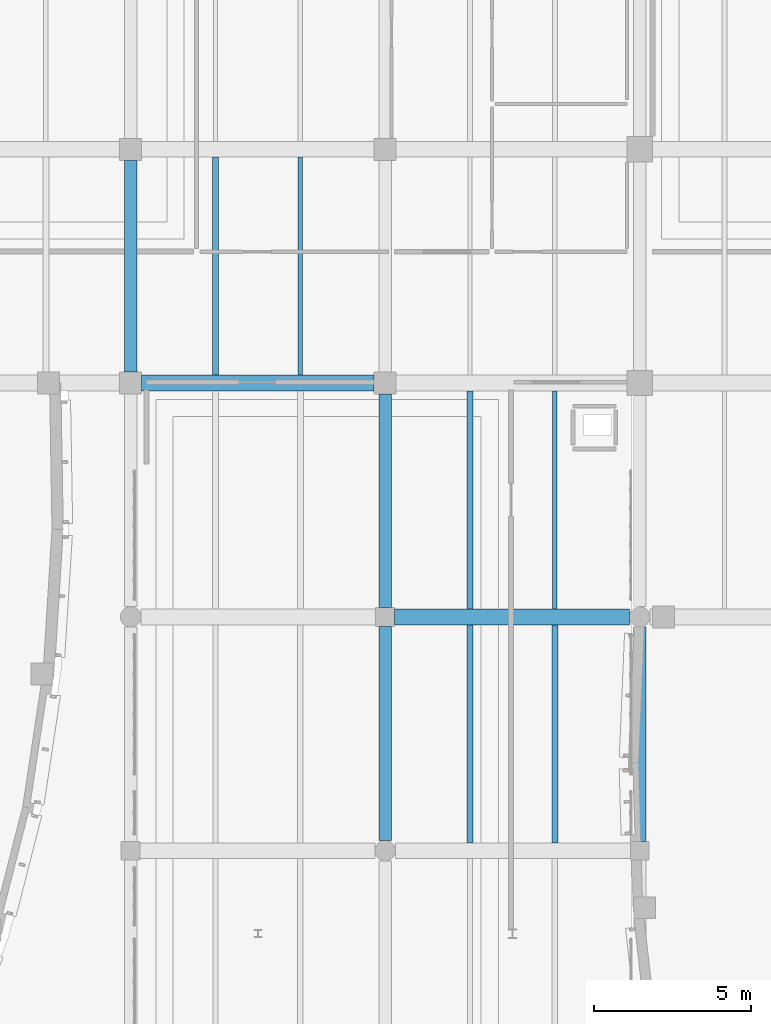
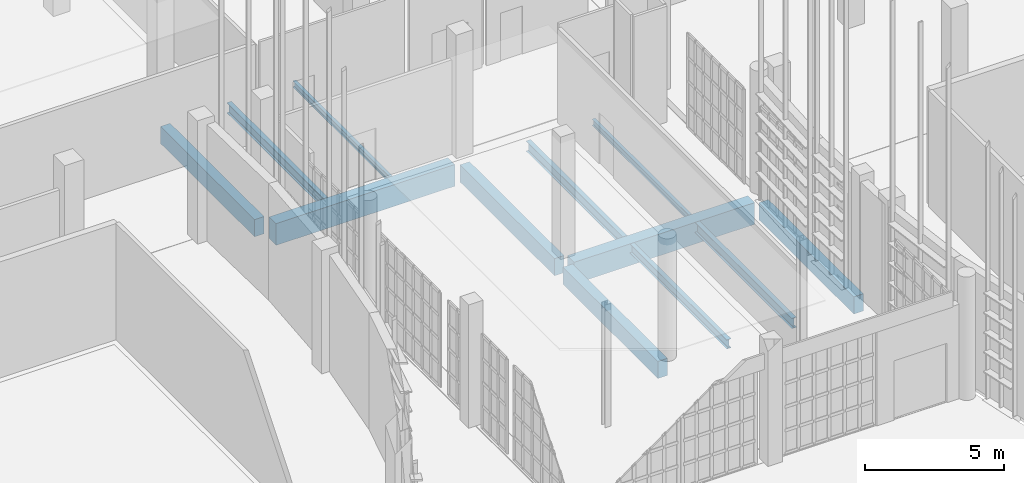
# One storey, part 237 of 372: 12 beams.
"""IFC4 building model written with IfcOpenShell, lengths in metres."""

from ifc_helpers import new_model, si_unit, direction, frame, origin, origin_2d, place, context, subcontext, project, spatial, rectangle, i_section, extrude, material, material_profile, profile_set, type_object, element, save


model = new_model("IFC4")

# Units and contexts
model_context = context("Model", 3, precision=1e-05, world=origin(), true_north=direction((0.0, 1.0)))
body_context = subcontext(model_context, "Body", "Model", "MODEL_VIEW")
ifc_project = project(units=[si_unit("LENGTHUNIT", "METRE"), si_unit("AREAUNIT", "SQUARE_METRE"), si_unit("VOLUMEUNIT", "CUBIC_METRE"), si_unit("PLANEANGLEUNIT", "RADIAN"), si_unit("MASSUNIT", "GRAM", prefix="KILO")], contexts=[model_context])

# Site, building, storey
site_placement = place(None, origin())
site = spatial("IfcSite", under=ifc_project, at=site_placement, CompositionType="ELEMENT")
building_placement = place(site_placement, origin())
building = spatial("IfcBuilding", under=site, at=building_placement, Name="Kaelora Sail Theatre", CompositionType="ELEMENT")
storey_placement = place(building_placement, origin())
storey = spatial("IfcBuildingStorey", under=building, at=storey_placement, Name="L00", CompositionType="ELEMENT", Elevation=0.0)

# Beams
ifc_material_1 = material(Name="Steel S355", Category="steel")
ifc_material_profile_1 = material_profile(ifc_material_1, i_section(OverallWidth=0.18994140625, OverallDepth=0.449951171875, WebThickness=0.009521484375, FlangeThickness=0.0146484375, FilletRadius=0.02099609375, at=origin_2d()), Name="IPE 450")
ifc_profile_set_1 = profile_set([ifc_material_profile_1], Name="Steel S355")
beam_type_1 = type_object("IfcBeamType", Name="STR-BM-BM-IPE450", PredefinedType="BEAM", material=ifc_profile_set_1)
beam_1_placement = place(storey_placement, frame((109.5, 61.27001953125, -0.544921875), z_axis=(0.0, 1.0, 0.0), x_axis=(-1.0, 0.0, 0.0)))
element("IfcBeam", 1, at=beam_1_placement, inside=storey, type_object=beam_type_1, Name="Secondary floor joist 14/I-1 (L00)", PredefinedType="BEAM", context=body_context, shape_type="SweptSolid", body=[
    extrude(i_section(OverallWidth=0.18994140625, OverallDepth=0.449951171875, WebThickness=0.009521484375, FlangeThickness=0.0146484375, FilletRadius=0.02099609375, at=origin_2d()), origin(), (0.0, 0.0, 1.0), 6.93994140625),
])
beam_2_placement = place(storey_placement, frame((120.300048828125, 46.389892578125, -0.544921875), z_axis=(0.0, 1.0, 0.0), x_axis=(-1.0, 0.0, 0.0)))
element("IfcBeam", 2, at=beam_2_placement, inside=storey, type_object=beam_type_1, Name="Secondary floor joist 15/G-2 (L00)", PredefinedType="BEAM", context=body_context, shape_type="SweptSolid", body=[
    extrude(i_section(OverallWidth=0.18994140625, OverallDepth=0.449951171875, WebThickness=0.009521484375, FlangeThickness=0.0146484375, FilletRadius=0.02099609375, at=origin_2d()), origin(), (0.0, 0.0, 1.0), 6.940185546875),
])
beam_3_placement = place(storey_placement, frame((117.60009765625, 53.830078125, -0.544921875), z_axis=(0.0, 1.0, 0.0), x_axis=(-1.0, 0.0, 0.0)))
element("IfcBeam", 3, at=beam_3_placement, inside=storey, type_object=beam_type_1, Name="Secondary floor joist 15/H-1 (L00)", PredefinedType="BEAM", context=body_context, shape_type="SweptSolid", body=[
    extrude(i_section(OverallWidth=0.18994140625, OverallDepth=0.449951171875, WebThickness=0.009521484375, FlangeThickness=0.0146484375, FilletRadius=0.02099609375, at=origin_2d()), origin(), (0.0, 0.0, 1.0), 6.93994140625),
])
ifc_material_2 = material(Name="Concrete C40/50", Category="concrete")
ifc_material_profile_2 = material_profile(ifc_material_2, rectangle(XDim=0.39990234375, YDim=0.75, at=origin_2d()), Name="RC-BM 400x750")
ifc_profile_set_2 = profile_set([ifc_material_profile_2], Name="Concrete C40/50")
beam_type_2 = type_object("IfcBeamType", Name="STR-BM-BM-RC4075", PredefinedType="BEAM", material=ifc_profile_set_2)
beam_4_placement = place(storey_placement, frame((106.800048828125, 61.3701171875, -0.695068359375), z_axis=(0.0, 1.0, 0.0), x_axis=(-1.0, 0.0, 0.0)))
element("IfcBeam", 4, at=beam_4_placement, inside=storey, type_object=beam_type_2, Name="Primary beam 14 I-J (L00)", PredefinedType="BEAM", context=body_context, shape_type="SweptSolid", body=[
    extrude(rectangle(XDim=0.39990234375, YDim=0.75, at=origin_2d()), origin(), (0.0, 0.0, 1.0), 6.739990234375),
])
beam_5_placement = place(storey_placement, frame((114.89990234375, 46.465087890625, -0.695068359375), z_axis=(0.0, 1.0, 0.0), x_axis=(-1.0, 0.0, 0.0)))
element("IfcBeam", 5, at=beam_5_placement, inside=storey, type_object=beam_type_2, Name="Primary beam 15 G-H (L00)", PredefinedType="BEAM", context=body_context, shape_type="SweptSolid", body=[
    extrude(rectangle(XDim=0.39990234375, YDim=0.75, at=origin_2d()), origin(), (0.0, 0.0, 1.0), 6.81494140625),
])
beam_6_placement = place(storey_placement, frame((114.89990234375, 53.8798828125, -0.695068359375), z_axis=(0.0, 1.0, 0.0), x_axis=(-1.0, 0.0, 0.0)))
element("IfcBeam", 6, at=beam_6_placement, inside=storey, type_object=beam_type_2, Name="Primary beam 15 H-I (L00)", PredefinedType="BEAM", context=body_context, shape_type="SweptSolid", body=[
    extrude(rectangle(XDim=0.39990234375, YDim=0.75, at=origin_2d()), origin(), (0.0, 0.0, 1.0), 6.7900390625),
])
beam_7_placement = place(storey_placement, frame((123.0, 46.43994140625, -0.695068359375), z_axis=(0.0, 1.0, 0.0), x_axis=(-1.0, 0.0, 0.0)))
element("IfcBeam", 7, at=beam_7_placement, inside=storey, type_object=beam_type_2, Name="Primary beam 16 G-H (L00)", PredefinedType="BEAM", context=body_context, shape_type="SweptSolid", body=[
    extrude(rectangle(XDim=0.39990234375, YDim=0.75, at=origin_2d()), origin(), (0.0, 0.0, 1.0), 6.81494140625),
])
ifc_material_3 = material(Name="Concrete C45/55", Category="concrete")
ifc_material_profile_3 = material_profile(ifc_material_3, rectangle(XDim=0.5, YDim=0.949951171875, at=origin_2d()), Name="RC-GRD 500x950")
ifc_profile_set_3 = profile_set([ifc_material_profile_3], Name="Concrete C45/55")
beam_type_3 = type_object("IfcBeamType", Name="STR-BM-GR-RC5095", PredefinedType="T_BEAM", material=ifc_profile_set_3)
beam_8_placement = place(storey_placement, frame((107.14990234375, 61.02001953125, -0.794921875), z_axis=(1.0, 0.0, 0.0), x_axis=(0.0, 1.0, 0.0)))
element("IfcBeam", 8, at=beam_8_placement, inside=storey, type_object=beam_type_3, Name="Primary beam I 14-15 (L00)", PredefinedType="T_BEAM", context=body_context, shape_type="SweptSolid", body=[
    extrude(rectangle(XDim=0.5, YDim=0.949951171875, at=origin_2d()), origin(), (0.0, 0.0, 1.0), 7.400146484375),
])
beam_9_placement = place(storey_placement, frame((115.199951171875, 53.580078125, -0.794921875), z_axis=(1.0, 0.0, 0.0), x_axis=(0.0, 1.0, 0.0)))
element("IfcBeam", 9, at=beam_9_placement, inside=storey, type_object=beam_type_3, Name="Primary beam H 15-16 (L00)", PredefinedType="T_BEAM", context=body_context, shape_type="SweptSolid", body=[
    extrude(rectangle(XDim=0.5, YDim=0.949951171875, at=origin_2d()), origin(), (0.0, 0.0, 1.0), 7.47509765625),
])
ifc_material_4 = material(Name="Steel S355", Category="steel")
ifc_material_profile_4 = material_profile(ifc_material_4, i_section(OverallWidth=0.135009765625, OverallDepth=0.27001953125, WebThickness=0.006591796875, FlangeThickness=0.01025390625, FilletRadius=0.014892578125, at=origin_2d()), Name="IPE 270")
ifc_profile_set_4 = profile_set([ifc_material_profile_4], Name="Steel S355")
beam_type_4 = type_object("IfcBeamType", Name="STR-BM-JS-IPE270", PredefinedType="JOIST", material=ifc_profile_set_4)
for number, where, z_axis, x_axis, name in (
    (10, (112.199951171875, 61.27001953125, -0.455078125), (0.0, 1.0, 0.0), (-1.0, 0.0, 0.0), "Secondary floor joist 14/I-2 (L00)"),
    (11, (120.300048828125, 53.830078125, -0.455078125), (0.0, 1.0, 0.0), (-1.0, 0.0, 0.0), "Secondary floor joist 15/H-2 (L00)"),
):
    element("IfcBeam", number, at=place(storey_placement, frame(where, z_axis=z_axis, x_axis=x_axis)), inside=storey, type_object=beam_type_4, Name=name, PredefinedType="JOIST", context=body_context, shape_type="SweptSolid", body=[
        extrude(i_section(OverallWidth=0.135009765625, OverallDepth=0.27001953125, WebThickness=0.006591796875, FlangeThickness=0.01025390625, FilletRadius=0.014892578125, at=origin_2d()), origin(), (0.0, 0.0, 1.0), 6.93994140625),
    ])
ifc_material_5 = material(Name="Steel S355", Category="steel")
ifc_material_profile_5 = material_profile(ifc_material_5, i_section(OverallWidth=0.179931640625, OverallDepth=0.39990234375, WebThickness=0.008544921875, FlangeThickness=0.013427734375, FilletRadius=0.02099609375, at=origin_2d()), Name="IPE 400")
ifc_profile_set_5 = profile_set([ifc_material_profile_5], Name="Steel S355")
beam_type_5 = type_object("IfcBeamType", Name="STR-BM-JS-IPE400", PredefinedType="JOIST", material=ifc_profile_set_5)
beam_10_placement = place(storey_placement, frame((117.60009765625, 46.389892578125, -0.52001953125), z_axis=(0.0, 1.0, 0.0), x_axis=(-1.0, 0.0, 0.0)))
element("IfcBeam", 12, at=beam_10_placement, inside=storey, type_object=beam_type_5, Name="Secondary floor joist 15/G-1 (L00)", PredefinedType="JOIST", context=body_context, shape_type="SweptSolid", body=[
    extrude(i_section(OverallWidth=0.179931640625, OverallDepth=0.39990234375, WebThickness=0.008544921875, FlangeThickness=0.013427734375, FilletRadius=0.02099609375, at=origin_2d()), origin(), (0.0, 0.0, 1.0), 6.940185546875),
])

save(model, "model.ifc")
